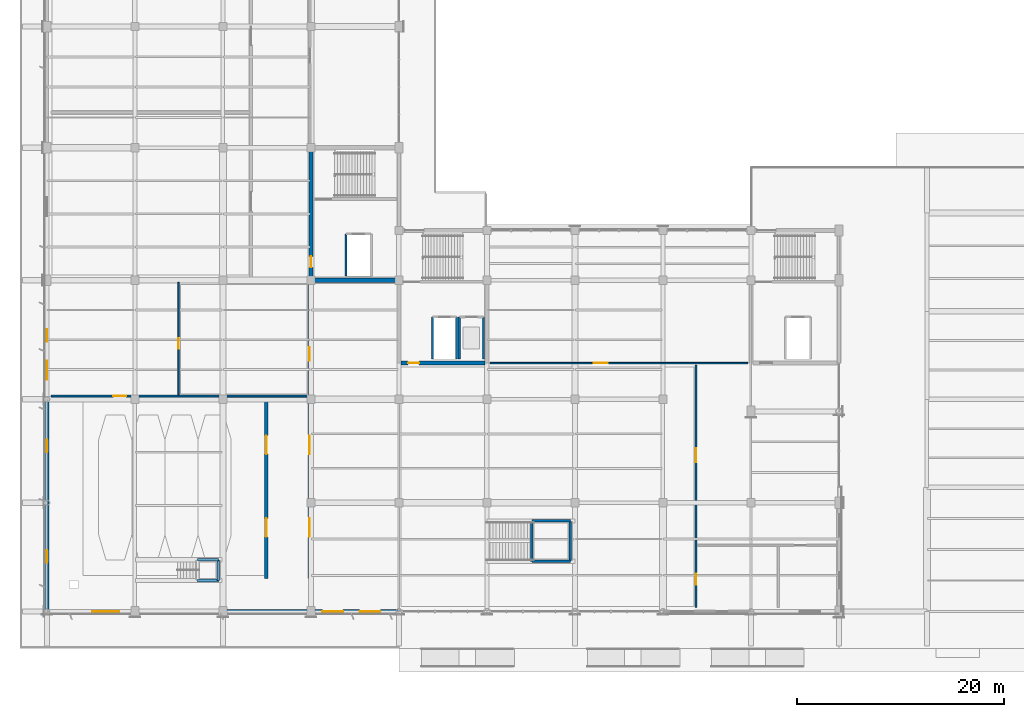
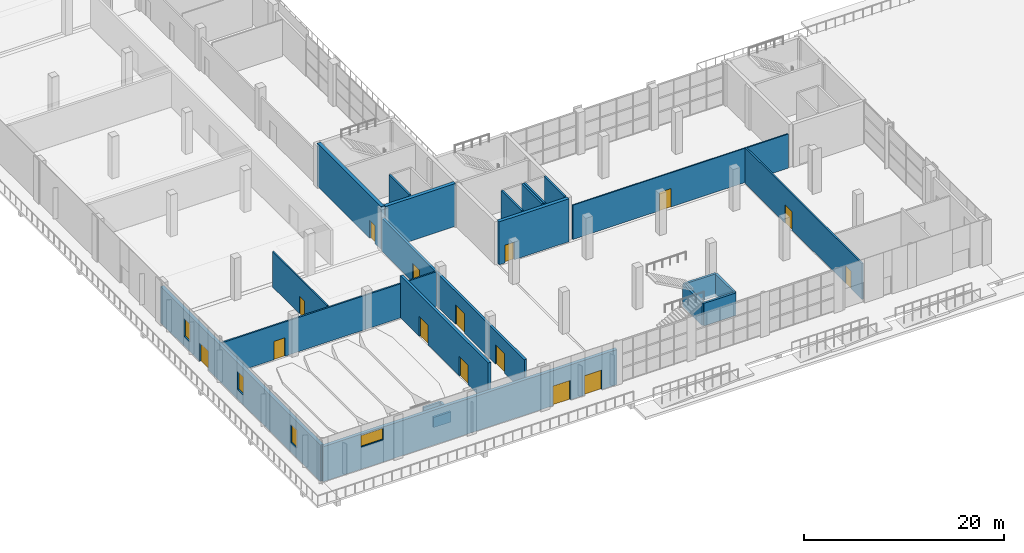
# One storey, part 66 of 90: 23 walls, 15 doors, 4 windows, 19 openings.
"""IFC4 building model written with IfcOpenShell, lengths in metres."""

from ifc_helpers import new_model, si_unit, direction, frame, frame_2d, origin, origin_with_axes, place, context, subcontext, project, spatial, rectangle, extrude, material, layer, layer_set, type_object, element, fill, save


model = new_model("IFC4")

# Units and contexts
model_context = context("Model", 3, precision=1e-05, world=origin(), true_north=direction((0.0, 1.0)))
body_context = subcontext(model_context, "Body", "Model", "MODEL_VIEW")
ifc_project = project(units=[si_unit("LENGTHUNIT", "METRE"), si_unit("AREAUNIT", "SQUARE_METRE"), si_unit("VOLUMEUNIT", "CUBIC_METRE"), si_unit("PLANEANGLEUNIT", "RADIAN"), si_unit("MASSUNIT", "GRAM", prefix="KILO")], contexts=[model_context])

# Site, building, storey
site_placement = place(None, origin())
site = spatial("IfcSite", under=ifc_project, at=site_placement, CompositionType="ELEMENT")
building_placement = place(site_placement, origin())
building = spatial("IfcBuilding", under=site, at=building_placement, Name="Solvikara Media Centre", CompositionType="ELEMENT")
storey_placement = place(building_placement, origin())
storey = spatial("IfcBuildingStorey", under=building, at=storey_placement, Name="L00", CompositionType="ELEMENT", Elevation=0.0)

# Wall, opening, door
ifc_material_1 = material(Name="Concrete fc' 45 MPa (C45/55)", Category="concrete")
ifc_layer_1 = layer(ifc_material_1, 0.39990234375)
ifc_layer_set_1 = layer_set([ifc_layer_1], Name="Concrete fc' 45 MPa (C45/55)")
wall_type_1 = type_object("IfcWallType", Name="WT-02", PredefinedType="SHEAR", material=ifc_layer_set_1)
wall_1_placement = place(storey_placement, frame((25.5, 32.0, 0.0), z_axis=(0.0, 0.0, 1.0), x_axis=(0.0, 1.0, 0.0)))
wall_1 = element("IfcWall", 1, at=wall_1_placement, inside=storey, type_object=wall_type_1, Name="CW-C1-L00-W", PredefinedType="SHEAR", context=body_context, shape_type="SweptSolid", body=[
    extrude(rectangle(XDim=12.800048828125, YDim=0.39990234375, at=frame_2d((6.39990234375, 0.0))), origin(), (0.0, 0.0, 1.0), 5.239990234375),
])
opening_1_placement = place(wall_1_placement, frame((1.25, 0.0, 0.0)))
opening_1 = element("IfcOpeningElement", 2, at=opening_1_placement, cuts=wall_1, Name="Opening D-C1-L00-LOB", PredefinedType="OPENING", context=body_context, shape_type="SweptSolid", body=[
    extrude(rectangle(XDim=1.050048828125, YDim=2.14990234375, at=frame_2d((0.52490234375, 1.074951171875))), frame((0.0, 0.2119140625, 0.0), z_axis=(0.0, -1.0, 0.0), x_axis=(1.0, 0.0, 0.0)), (0.0, 0.0, 1.0), 0.423828125),
])
ifc_material_2 = material(Name="Insulated fire-rated steel door leaf", Category="steel")
door_type_1 = type_object("IfcDoorType", Name="DT-10", OperationType="NOTDEFINED", PredefinedType="DOOR", material=ifc_material_2)
door_1_placement = place(opening_1_placement, origin())
door_1 = element("IfcDoor", 3, at=door_1_placement, inside=storey, type_object=door_type_1, Name="D-C1-L00-LOB", OperationType="SINGLE_SWING_RIGHT", OverallHeight=2.14990234375, OverallWidth=1.050048828125, PredefinedType="DOOR", context=body_context, shape_type="SweptSolid", body=[
    extrude(rectangle(XDim=1.050048828125, YDim=2.14990234375, at=frame_2d((0.52490234375, 1.074951171875))), frame((0.0, 0.02490234375, 0.0), z_axis=(0.0, -1.0, 0.0), x_axis=(1.0, 0.0, 0.0)), (0.0, 0.0, 1.0), 0.050048828125),
])
fill(opening_1, door_1)

# Wall
wall_2_placement = place(storey_placement, frame((25.699951171875, 32.0, 0.0), z_axis=(0.0, 0.0, 1.0), x_axis=(1.0, 0.0, 0.0)))
element("IfcWall", 4, at=wall_2_placement, inside=storey, type_object=wall_type_1, Name="CW-C1-L00-S", PredefinedType="SHEAR", context=body_context, shape_type="SweptSolid", body=[
    extrude(rectangle(XDim=8.10009765625, YDim=0.39990234375, at=frame_2d((4.050048828125, 0.0))), origin(), (0.0, 0.0, 1.0), 5.239990234375),
])

# Wall, opening, door
wall_3_placement = place(storey_placement, frame((34.199951171875, 24.0, 0.0), z_axis=(0.0, 0.0, 1.0), x_axis=(1.0, 0.0, 0.0)))
wall_3 = element("IfcWall", 5, at=wall_3_placement, inside=storey, type_object=wall_type_1, Name="CW-C2-L00-S", PredefinedType="SHEAR", context=body_context, shape_type="SweptSolid", body=[
    extrude(rectangle(XDim=8.10009765625, YDim=0.39990234375, at=frame_2d((4.050048828125, 0.0))), origin(), (0.0, 0.0, 1.0), 5.239990234375),
])
opening_2_placement = place(wall_3_placement, frame((0.699951171875, 0.0, 0.0)))
opening_2 = element("IfcOpeningElement", 6, at=opening_2_placement, cuts=wall_3, Name="Opening D-C2-L00-LOB", PredefinedType="OPENING", context=body_context, shape_type="SweptSolid", body=[
    extrude(rectangle(XDim=1.050048828125, YDim=2.14990234375, at=frame_2d((0.52490234375, 1.074951171875))), frame((0.0, 0.2119140625, 0.0), z_axis=(0.0, -1.0, 0.0), x_axis=(1.0, 0.0, 0.0)), (0.0, 0.0, 1.0), 0.423828125),
])
door_2_placement = place(opening_2_placement, frame((1.050048828125, 0.0, 0.0), z_axis=(0.0, 0.0, 1.0), x_axis=(-1.0, 0.0, 0.0)))
door_2 = element("IfcDoor", 7, at=door_2_placement, inside=storey, type_object=door_type_1, Name="D-C2-L00-LOB", OperationType="SINGLE_SWING_RIGHT", OverallHeight=2.14990234375, OverallWidth=1.050048828125, PredefinedType="DOOR", context=body_context, shape_type="SweptSolid", body=[
    extrude(rectangle(XDim=1.050048828125, YDim=2.14990234375, at=frame_2d((0.52490234375, 1.074951171875))), frame((0.0, 0.02490234375, 0.0), z_axis=(0.0, -1.0, 0.0), x_axis=(1.0, 0.0, 0.0)), (0.0, 0.0, 1.0), 0.050048828125),
])
fill(opening_2, door_2)

# Wall, openings, doors
ifc_layer_2 = layer(ifc_material_1, 0.320068359375)
ifc_layer_set_2 = layer_set([ifc_layer_2], Name="Concrete fc' 45 MPa (C45/55)")
wall_type_2 = type_object("IfcWallType", Name="WT-04", PredefinedType="SHEAR", material=ifc_layer_set_2)
wall_4_placement = place(storey_placement, frame((21.199951171875, 3.199951171875, 0.0), z_axis=(0.0, 0.0, 1.0), x_axis=(0.0, 1.0, 0.0)))
wall_4 = element("IfcWall", 8, at=wall_4_placement, inside=storey, type_object=wall_type_2, Name="PW-L00-013", PredefinedType="SHEAR", context=body_context, shape_type="SweptSolid", body=[
    extrude(rectangle(XDim=17.60009765625, YDim=0.320068359375, at=frame_2d((8.800048828125, 0.0))), origin(), (0.0, 0.0, 1.0), 5.10009765625),
])
opening_3_placement = place(wall_4_placement, frame((4.0, 0.0, 0.0)))
opening_3 = element("IfcOpeningElement", 9, at=opening_3_placement, cuts=wall_4, Name="Opening D-L00-013-1", PredefinedType="OPENING", context=body_context, shape_type="SweptSolid", body=[
    extrude(rectangle(XDim=1.800048828125, YDim=2.39990234375, at=frame_2d((0.89990234375, 1.199951171875))), frame((0.0, 0.171875, 0.0), z_axis=(0.0, -1.0, 0.0), x_axis=(1.0, 0.0, 0.0)), (0.0, 0.0, 1.0), 0.343994140625),
])
opening_4_placement = place(wall_4_placement, frame((12.0, 0.0, 0.0)))
opening_4 = element("IfcOpeningElement", 10, at=opening_4_placement, cuts=wall_4, Name="Opening D-L00-013-2", PredefinedType="OPENING", context=body_context, shape_type="SweptSolid", body=[
    extrude(rectangle(XDim=1.800048828125, YDim=2.39990234375, at=frame_2d((0.89990234375, 1.199951171875))), frame((0.0, 0.171875, 0.0), z_axis=(0.0, -1.0, 0.0), x_axis=(1.0, 0.0, 0.0)), (0.0, 0.0, 1.0), 0.343994140625),
])
ifc_material_3 = material(Name="Solid core acoustic hardwood timber", Category="wood")
door_type_2 = type_object("IfcDoorType", Name="DT-12", OperationType="DOUBLE_DOOR_SINGLE_SWING", PredefinedType="DOOR", material=ifc_material_3)
door_3_placement = place(opening_3_placement, frame((1.800048828125, 0.0, 0.0), z_axis=(0.0, 0.0, 1.0), x_axis=(-1.0, 0.0, 0.0)))
door_3 = element("IfcDoor", 11, at=door_3_placement, inside=storey, type_object=door_type_2, Name="D-L00-013-1", OperationType="DOUBLE_DOOR_SINGLE_SWING", OverallHeight=2.39990234375, OverallWidth=1.800048828125, PredefinedType="DOOR", context=body_context, shape_type="SweptSolid", body=[
    extrude(rectangle(XDim=1.800048828125, YDim=2.39990234375, at=frame_2d((0.89990234375, 1.199951171875))), frame((0.0, 0.02490234375, 0.0), z_axis=(0.0, -1.0, 0.0), x_axis=(1.0, 0.0, 0.0)), (0.0, 0.0, 1.0), 0.050048828125),
])
fill(opening_3, door_3)
door_4_placement = place(opening_4_placement, frame((1.800048828125, 0.0, 0.0), z_axis=(0.0, 0.0, 1.0), x_axis=(-1.0, 0.0, 0.0)))
door_4 = element("IfcDoor", 12, at=door_4_placement, inside=storey, type_object=door_type_2, Name="D-L00-013-2", OperationType="DOUBLE_DOOR_SINGLE_SWING", OverallHeight=2.39990234375, OverallWidth=1.800048828125, PredefinedType="DOOR", context=body_context, shape_type="SweptSolid", body=[
    extrude(rectangle(XDim=1.800048828125, YDim=2.39990234375, at=frame_2d((0.89990234375, 1.199951171875))), frame((0.0, 0.02490234375, 0.0), z_axis=(0.0, -1.0, 0.0), x_axis=(1.0, 0.0, 0.0)), (0.0, 0.0, 1.0), 0.050048828125),
])
fill(opening_4, door_4)

# Walls
ifc_layer_3 = layer(ifc_material_1, 0.25)
ifc_layer_set_3 = layer_set([ifc_layer_3], Name="Concrete fc' 45 MPa (C45/55)")
wall_type_3 = type_object("IfcWallType", Name="WT-07", PredefinedType="STANDARD", material=ifc_layer_set_3)
for number, where, z_axis, x_axis, name in (
    (13, (46.85009765625, 4.85009765625, -0.340087890625), (0.0, 0.0, 1.0), (1.0, 0.0, 0.0), "FW-FOY1-S"),
    (14, (46.85009765625, 8.75, -0.340087890625), (0.0, 0.0, 1.0), (1.0, 0.0, 0.0), "FW-FOY1-N"),
):
    element("IfcWall", number, at=place(storey_placement, frame(where, z_axis=z_axis, x_axis=x_axis)), inside=storey, type_object=wall_type_3, Name=name, PredefinedType="STANDARD", context=body_context, shape_type="SweptSolid", body=[
        extrude(rectangle(XDim=3.699951171875, YDim=0.25, at=frame_2d((1.85009765625, 0.0))), origin(), (0.0, 0.0, 1.0), 2.75),
    ])
wall_5_placement = place(storey_placement, frame((50.550048828125, 4.919921875, -0.340087890625), z_axis=(0.0, 0.0, 1.0), x_axis=(0.0, 1.0, 0.0)))
element("IfcWall", 15, at=wall_5_placement, inside=storey, type_object=wall_type_3, Name="FW-FOY1-E", PredefinedType="STANDARD", context=body_context, shape_type="SweptSolid", body=[
    extrude(rectangle(XDim=3.760009765625, YDim=0.25, at=frame_2d((1.8798828125, 0.0))), origin(), (0.0, 0.0, 1.0), 2.75),
])
wall_6_placement = place(storey_placement, frame((46.85009765625, 4.85009765625, -0.340087890625), z_axis=(0.0, 0.0, 1.0), x_axis=(0.0, 1.0, 0.0)))
element("IfcWall", 16, at=wall_6_placement, inside=storey, type_object=wall_type_3, Name="FW-FOY1-W", PredefinedType="STANDARD", context=body_context, shape_type="SweptSolid", body=[
    extrude(rectangle(XDim=3.89990234375, YDim=0.25, at=frame_2d((1.949951171875, 0.0))), origin(), (0.0, 0.0, 1.0), 2.75),
])
for number, where, z_axis, x_axis, name in (
    (17, (14.550048828125, 3.0, -0.340087890625), (0.0, 0.0, 1.0), (1.0, 0.0, 0.0), "VW-ST-GC-AISLE-1"),
    (18, (14.550048828125, 5.0, -0.340087890625), (0.0, 0.0, 1.0), (1.0, 0.0, 0.0), "VW-ST-GC-AISLE-2"),
    (19, (16.550048828125, 3.0, -0.340087890625), (0.0, 0.0, 1.0), (0.0, 1.0, 0.0), "VW-ST-GC-AISLE-3"),
):
    element("IfcWall", number, at=place(storey_placement, frame(where, z_axis=z_axis, x_axis=x_axis)), inside=storey, type_object=wall_type_3, Name=name, PredefinedType="STANDARD", context=body_context, shape_type="SweptSolid", body=[
        extrude(rectangle(XDim=2.0, YDim=0.25, at=frame_2d((1.0, 0.0))), origin(), (0.0, 0.0, 1.0), 1.25),
    ])

# Wall, openings, doors, window
ifc_material_4 = material(Name="Precast concrete fc' 40 MPa (C40/50)", Category="concrete")
ifc_layer_4 = layer(ifc_material_4, 0.3798828125)
ifc_layer_set_4 = layer_set([ifc_layer_4], Name="Precast concrete fc' 40 MPa (C40/50)")
wall_type_4 = type_object("IfcWallType", Name="WT-08", PredefinedType="STANDARD", material=ifc_layer_set_4)
wall_7_placement = place(storey_placement, origin_with_axes())
wall_7 = element("IfcWall", 20, at=wall_7_placement, inside=storey, type_object=wall_type_4, Name="EW-L00-V1-S", PredefinedType="STANDARD", context=body_context, shape_type="SweptSolid", body=[
    extrude(rectangle(XDim=34.0, YDim=0.3798828125, at=frame_2d((17.0, 0.0))), origin(), (0.0, 0.0, 1.0), 4.280029296875),
])
opening_5_placement = place(wall_7_placement, frame((26.60009765625, 0.0, 0.0)))
opening_5 = element("IfcOpeningElement", 21, at=opening_5_placement, cuts=wall_7, Name="Opening EX-01", PredefinedType="OPENING", context=body_context, shape_type="SweptSolid", body=[
    extrude(rectangle(XDim=2.0, YDim=2.39990234375, at=frame_2d((1.0, 1.199951171875))), frame((0.0, 0.201904296875, 0.0), z_axis=(0.0, -1.0, 0.0), x_axis=(1.0, 0.0, 0.0)), (0.0, 0.0, 1.0), 0.40380859375),
])
opening_6_placement = place(wall_7_placement, frame((30.199951171875, 0.0, 0.0)))
opening_6 = element("IfcOpeningElement", 22, at=opening_6_placement, cuts=wall_7, Name="Opening EX-02", PredefinedType="OPENING", context=body_context, shape_type="SweptSolid", body=[
    extrude(rectangle(XDim=2.0, YDim=2.39990234375, at=frame_2d((1.0, 1.199951171875))), frame((0.0, 0.201904296875, 0.0), z_axis=(0.0, -1.0, 0.0), x_axis=(1.0, 0.0, 0.0)), (0.0, 0.0, 1.0), 0.40380859375),
])
opening_7_placement = place(wall_7_placement, frame((4.366943359375, 0.0, 2.719970703125)))
opening_7 = element("IfcOpeningElement", 23, at=opening_7_placement, cuts=wall_7, Name="Opening W-L00-V1S-W01", PredefinedType="OPENING", context=body_context, shape_type="SweptSolid", body=[
    extrude(rectangle(XDim=2.60009765625, YDim=1.39990234375, at=frame_2d((1.300048828125, 0.699951171875))), frame((0.0, 0.201904296875, 0.0), z_axis=(0.0, -1.0, 0.0), x_axis=(1.0, 0.0, 0.0)), (0.0, 0.0, 1.0), 0.40380859375),
])
ifc_material_5 = material(Name="Anodised aluminium EN AW-6063", Category="aluminium")
door_type_3 = type_object("IfcDoorType", Name="DT-01", OperationType="DOUBLE_DOOR_SINGLE_SWING", PredefinedType="DOOR", material=ifc_material_5)
door_5_placement = place(opening_5_placement, frame((2.0, 0.0, 0.0), z_axis=(0.0, 0.0, 1.0), x_axis=(-1.0, 0.0, 0.0)))
door_5 = element("IfcDoor", 24, at=door_5_placement, inside=storey, type_object=door_type_3, Name="EX-01", OperationType="DOUBLE_DOOR_SINGLE_SWING", OverallHeight=2.39990234375, OverallWidth=2.0, PredefinedType="DOOR", context=body_context, shape_type="SweptSolid", body=[
    extrude(rectangle(XDim=2.0, YDim=2.39990234375, at=frame_2d((1.0, 1.199951171875))), frame((0.0, 0.02490234375, 0.0), z_axis=(0.0, -1.0, 0.0), x_axis=(1.0, 0.0, 0.0)), (0.0, 0.0, 1.0), 0.050048828125),
])
fill(opening_5, door_5)
door_6_placement = place(opening_6_placement, frame((2.0, 0.0, 0.0), z_axis=(0.0, 0.0, 1.0), x_axis=(-1.0, 0.0, 0.0)))
door_6 = element("IfcDoor", 25, at=door_6_placement, inside=storey, type_object=door_type_3, Name="EX-02", OperationType="DOUBLE_DOOR_SINGLE_SWING", OverallHeight=2.39990234375, OverallWidth=2.0, PredefinedType="DOOR", context=body_context, shape_type="SweptSolid", body=[
    extrude(rectangle(XDim=2.0, YDim=2.39990234375, at=frame_2d((1.0, 1.199951171875))), frame((0.0, 0.02490234375, 0.0), z_axis=(0.0, -1.0, 0.0), x_axis=(1.0, 0.0, 0.0)), (0.0, 0.0, 1.0), 0.050048828125),
])
fill(opening_6, door_6)
ifc_material_6 = material(Name="Double-glazed low-E architectural glass", Category="glass")
window_type_1 = type_object("IfcWindowType", Name="WN-09", PartitioningType="SINGLE_PANEL", PredefinedType="WINDOW", material=ifc_material_6)
window_1_placement = place(opening_7_placement, origin())
window_1 = element("IfcWindow", 26, at=window_1_placement, inside=storey, type_object=window_type_1, Name="W-L00-V1S-W01", OverallHeight=1.39990234375, OverallWidth=2.60009765625, PartitioningType="SINGLE_PANEL", PredefinedType="WINDOW", context=body_context, shape_type="SweptSolid", body=[
    extrude(rectangle(XDim=2.60009765625, YDim=1.39990234375, at=frame_2d((1.300048828125, 0.699951171875))), frame((0.0, 0.030029296875, 0.0), z_axis=(0.0, -1.0, 0.0), x_axis=(1.0, 0.0, 0.0)), (0.0, 0.0, 1.0), 0.06005859375),
])
fill(opening_7, window_1)

# Wall, openings, door, windows
wall_8_placement = place(storey_placement, frame((0.0, 0.0, 0.0), z_axis=(0.0, 0.0, 1.0), x_axis=(0.0, 1.0, 0.0)))
wall_8 = element("IfcWall", 27, at=wall_8_placement, inside=storey, type_object=wall_type_4, Name="EW-L00-V1-W", PredefinedType="STANDARD", context=body_context, shape_type="SweptSolid", body=[
    extrude(rectangle(XDim=32.0, YDim=0.3798828125, at=frame_2d((16.0, 0.0))), origin(), (0.0, 0.0, 1.0), 4.429931640625),
])
opening_8_placement = place(wall_8_placement, frame((22.39990234375, 0.0, 0.0)))
opening_8 = element("IfcOpeningElement", 28, at=opening_8_placement, cuts=wall_8, Name="Opening EX-03", PredefinedType="OPENING", context=body_context, shape_type="SweptSolid", body=[
    extrude(rectangle(XDim=1.800048828125, YDim=2.300048828125, at=frame_2d((0.89990234375, 1.14990234375))), frame((0.0, 0.201904296875, 0.0), z_axis=(0.0, -1.0, 0.0), x_axis=(1.0, 0.0, 0.0)), (0.0, 0.0, 1.0), 0.40380859375),
])
opening_9_placement = place(wall_8_placement, frame((4.73291015625, 0.0, 1.199951171875)))
opening_9 = element("IfcOpeningElement", 29, at=opening_9_placement, cuts=wall_8, Name="Opening W-L00-V1W-W01", PredefinedType="OPENING", context=body_context, shape_type="SweptSolid", body=[
    extrude(rectangle(XDim=1.199951171875, YDim=2.199951171875, at=frame_2d((0.60009765625, 1.10009765625))), frame((0.0, 0.201904296875, 0.0), z_axis=(0.0, -1.0, 0.0), x_axis=(1.0, 0.0, 0.0)), (0.0, 0.0, 1.0), 0.40380859375),
])
opening_10_placement = place(wall_8_placement, frame((15.39990234375, 0.0, 1.199951171875)))
opening_10 = element("IfcOpeningElement", 30, at=opening_10_placement, cuts=wall_8, Name="Opening W-L00-V1W-W02", PredefinedType="OPENING", context=body_context, shape_type="SweptSolid", body=[
    extrude(rectangle(XDim=1.199951171875, YDim=2.199951171875, at=frame_2d((0.60009765625, 1.10009765625))), frame((0.0, 0.201904296875, 0.0), z_axis=(0.0, -1.0, 0.0), x_axis=(1.0, 0.0, 0.0)), (0.0, 0.0, 1.0), 0.40380859375),
])
opening_11_placement = place(wall_8_placement, frame((26.06689453125, 0.0, 1.199951171875)))
opening_11 = element("IfcOpeningElement", 31, at=opening_11_placement, cuts=wall_8, Name="Opening W-L00-V1W-W03", PredefinedType="OPENING", context=body_context, shape_type="SweptSolid", body=[
    extrude(rectangle(XDim=1.199951171875, YDim=2.199951171875, at=frame_2d((0.60009765625, 1.10009765625))), frame((0.0, 0.201904296875, 0.0), z_axis=(0.0, -1.0, 0.0), x_axis=(1.0, 0.0, 0.0)), (0.0, 0.0, 1.0), 0.40380859375),
])
door_type_4 = type_object("IfcDoorType", Name="DT-03", OperationType="DOUBLE_DOOR_SINGLE_SWING", PredefinedType="DOOR", material=ifc_material_2)
door_7_placement = place(opening_8_placement, origin())
door_7 = element("IfcDoor", 32, at=door_7_placement, inside=storey, type_object=door_type_4, Name="EX-03", OperationType="DOUBLE_DOOR_SINGLE_SWING", OverallHeight=2.300048828125, OverallWidth=1.800048828125, PredefinedType="DOOR", context=body_context, shape_type="SweptSolid", body=[
    extrude(rectangle(XDim=1.800048828125, YDim=2.300048828125, at=frame_2d((0.89990234375, 1.14990234375))), frame((0.0, 0.02490234375, 0.0), z_axis=(0.0, -1.0, 0.0), x_axis=(1.0, 0.0, 0.0)), (0.0, 0.0, 1.0), 0.050048828125),
])
fill(opening_8, door_7)
window_type_2 = type_object("IfcWindowType", Name="WN-06", PartitioningType="SINGLE_PANEL", PredefinedType="WINDOW", material=ifc_material_6)
window_2_placement = place(opening_9_placement, origin())
window_2 = element("IfcWindow", 33, at=window_2_placement, inside=storey, type_object=window_type_2, Name="W-L00-V1W-W01", OverallHeight=2.199951171875, OverallWidth=1.199951171875, PartitioningType="SINGLE_PANEL", PredefinedType="WINDOW", context=body_context, shape_type="SweptSolid", body=[
    extrude(rectangle(XDim=1.199951171875, YDim=2.199951171875, at=frame_2d((0.60009765625, 1.10009765625))), frame((0.0, 0.030029296875, 0.0), z_axis=(0.0, -1.0, 0.0), x_axis=(1.0, 0.0, 0.0)), (0.0, 0.0, 1.0), 0.06005859375),
])
fill(opening_9, window_2)
window_3_placement = place(opening_10_placement, origin())
window_3 = element("IfcWindow", 34, at=window_3_placement, inside=storey, type_object=window_type_2, Name="W-L00-V1W-W02", OverallHeight=2.199951171875, OverallWidth=1.199951171875, PartitioningType="SINGLE_PANEL", PredefinedType="WINDOW", context=body_context, shape_type="SweptSolid", body=[
    extrude(rectangle(XDim=1.199951171875, YDim=2.199951171875, at=frame_2d((0.60009765625, 1.10009765625))), frame((0.0, 0.030029296875, 0.0), z_axis=(0.0, -1.0, 0.0), x_axis=(1.0, 0.0, 0.0)), (0.0, 0.0, 1.0), 0.06005859375),
])
fill(opening_10, window_3)
window_4_placement = place(opening_11_placement, origin())
window_4 = element("IfcWindow", 35, at=window_4_placement, inside=storey, type_object=window_type_2, Name="W-L00-V1W-W03", OverallHeight=2.199951171875, OverallWidth=1.199951171875, PartitioningType="SINGLE_PANEL", PredefinedType="WINDOW", context=body_context, shape_type="SweptSolid", body=[
    extrude(rectangle(XDim=1.199951171875, YDim=2.199951171875, at=frame_2d((0.60009765625, 1.10009765625))), frame((0.0, 0.030029296875, 0.0), z_axis=(0.0, -1.0, 0.0), x_axis=(1.0, 0.0, 0.0)), (0.0, 0.0, 1.0), 0.06005859375),
])
fill(opening_11, window_4)

# Wall, openings, doors
ifc_material_7 = material(Name="Double-stud acoustic gypsum partition assembly")
ifc_layer_5 = layer(ifc_material_7, 0.27001953125)
ifc_layer_set_5 = layer_set([ifc_layer_5], Name="Double-stud acoustic gypsum partition assembly")
wall_type_5 = type_object("IfcWallType", Name="WT-16", PredefinedType="PARTITIONING", material=ifc_layer_set_5)
wall_9_placement = place(storey_placement, frame((25.35009765625, 3.199951171875, 0.0), z_axis=(0.0, 0.0, 1.0), x_axis=(0.0, 1.0, 0.0)))
wall_9 = element("IfcWall", 36, at=wall_9_placement, inside=storey, type_object=wall_type_5, Name="PW-L00-014", PredefinedType="PARTITIONING", context=body_context, shape_type="SweptSolid", body=[
    extrude(rectangle(XDim=28.60009765625, YDim=0.27001953125, at=frame_2d((14.300048828125, 0.0))), origin(), (0.0, 0.0, 1.0), 4.030029296875),
])
opening_12_placement = place(wall_9_placement, frame((4.0, 0.0, 0.0)))
opening_12 = element("IfcOpeningElement", 37, at=opening_12_placement, cuts=wall_9, Name="Opening D-L00-014-1", PredefinedType="OPENING", context=body_context, shape_type="SweptSolid", body=[
    extrude(rectangle(XDim=1.800048828125, YDim=2.39990234375, at=frame_2d((0.89990234375, 1.199951171875))), frame((0.0, 0.14697265625, 0.0), z_axis=(0.0, -1.0, 0.0), x_axis=(1.0, 0.0, 0.0)), (0.0, 0.0, 1.0), 0.2939453125),
])
opening_13_placement = place(wall_9_placement, frame((12.0, 0.0, 0.0)))
opening_13 = element("IfcOpeningElement", 38, at=opening_13_placement, cuts=wall_9, Name="Opening D-L00-014-2", PredefinedType="OPENING", context=body_context, shape_type="SweptSolid", body=[
    extrude(rectangle(XDim=1.800048828125, YDim=2.39990234375, at=frame_2d((0.89990234375, 1.199951171875))), frame((0.0, 0.14697265625, 0.0), z_axis=(0.0, -1.0, 0.0), x_axis=(1.0, 0.0, 0.0)), (0.0, 0.0, 1.0), 0.2939453125),
])
opening_14_placement = place(wall_9_placement, frame((21.0, 0.0, 0.0)))
opening_14 = element("IfcOpeningElement", 39, at=opening_14_placement, cuts=wall_9, Name="Opening D-L00-014-3", PredefinedType="OPENING", context=body_context, shape_type="SweptSolid", body=[
    extrude(rectangle(XDim=1.35009765625, YDim=2.25, at=frame_2d((0.675048828125, 1.125))), frame((0.0, 0.14697265625, 0.0), z_axis=(0.0, -1.0, 0.0), x_axis=(1.0, 0.0, 0.0)), (0.0, 0.0, 1.0), 0.2939453125),
])
door_8_placement = place(opening_12_placement, frame((1.800048828125, 0.0, 0.0), z_axis=(0.0, 0.0, 1.0), x_axis=(-1.0, 0.0, 0.0)))
door_8 = element("IfcDoor", 40, at=door_8_placement, inside=storey, type_object=door_type_2, Name="D-L00-014-1", OperationType="DOUBLE_DOOR_SINGLE_SWING", OverallHeight=2.39990234375, OverallWidth=1.800048828125, PredefinedType="DOOR", context=body_context, shape_type="SweptSolid", body=[
    extrude(rectangle(XDim=1.800048828125, YDim=2.39990234375, at=frame_2d((0.89990234375, 1.199951171875))), frame((0.0, 0.02490234375, 0.0), z_axis=(0.0, -1.0, 0.0), x_axis=(1.0, 0.0, 0.0)), (0.0, 0.0, 1.0), 0.050048828125),
])
fill(opening_12, door_8)
door_9_placement = place(opening_13_placement, frame((1.800048828125, 0.0, 0.0), z_axis=(0.0, 0.0, 1.0), x_axis=(-1.0, 0.0, 0.0)))
door_9 = element("IfcDoor", 41, at=door_9_placement, inside=storey, type_object=door_type_2, Name="D-L00-014-2", OperationType="DOUBLE_DOOR_SINGLE_SWING", OverallHeight=2.39990234375, OverallWidth=1.800048828125, PredefinedType="DOOR", context=body_context, shape_type="SweptSolid", body=[
    extrude(rectangle(XDim=1.800048828125, YDim=2.39990234375, at=frame_2d((0.89990234375, 1.199951171875))), frame((0.0, 0.02490234375, 0.0), z_axis=(0.0, -1.0, 0.0), x_axis=(1.0, 0.0, 0.0)), (0.0, 0.0, 1.0), 0.050048828125),
])
fill(opening_13, door_9)
door_type_5 = type_object("IfcDoorType", Name="DT-20", OperationType="DOUBLE_DOOR_SINGLE_SWING", PredefinedType="DOOR", material=ifc_material_5)
door_10_placement = place(opening_14_placement, frame((1.35009765625, 0.0, 0.0), z_axis=(0.0, 0.0, 1.0), x_axis=(-1.0, 0.0, 0.0)))
door_10 = element("IfcDoor", 42, at=door_10_placement, inside=storey, type_object=door_type_5, Name="D-L00-014-3", OperationType="DOUBLE_DOOR_SINGLE_SWING", OverallHeight=2.25, OverallWidth=1.35009765625, PredefinedType="DOOR", context=body_context, shape_type="SweptSolid", body=[
    extrude(rectangle(XDim=1.35009765625, YDim=2.25, at=frame_2d((0.675048828125, 1.125))), frame((0.0, 0.02490234375, 0.0), z_axis=(0.0, -1.0, 0.0), x_axis=(1.0, 0.0, 0.0)), (0.0, 0.0, 1.0), 0.050048828125),
])
fill(opening_14, door_10)

# Walls
ifc_material_8 = material(Name="Fire-rated gypsum and mineral-wool shaft wall assembly")
ifc_layer_6 = layer(ifc_material_8, 0.2099609375)
ifc_layer_set_6 = layer_set([ifc_layer_6], Name="Fire-rated gypsum and mineral-wool shaft wall assembly")
wall_type_6 = type_object("IfcWallType", Name="WT-17", PredefinedType="PARTITIONING", material=ifc_layer_set_6)
for number, where, z_axis, x_axis, name in (
    (43, (28.8798828125, 32.39990234375, 0.0), (0.0, 0.0, 1.0), (0.0, 1.0, 0.0), "LW-LF-S1-L00-W"),
    (44, (37.22998046875, 24.39990234375, 0.0), (0.0, 0.0, 1.0), (0.0, 1.0, 0.0), "LW-LF-P1-L00-W"),
    (45, (39.570068359375, 24.39990234375, 0.0), (0.0, 0.0, 1.0), (0.0, 1.0, 0.0), "LW-LF-P1-L00-E"),
    (46, (39.830078125, 24.39990234375, 0.0), (0.0, 0.0, 1.0), (0.0, 1.0, 0.0), "LW-LF-P2-L00-W"),
    (47, (42.169921875, 24.39990234375, 0.0), (0.0, 0.0, 1.0), (0.0, 1.0, 0.0), "LW-LF-P2-L00-E"),
):
    element("IfcWall", number, at=place(storey_placement, frame(where, z_axis=z_axis, x_axis=x_axis)), inside=storey, type_object=wall_type_6, Name=name, PredefinedType="PARTITIONING", context=body_context, shape_type="SweptSolid", body=[
        extrude(rectangle(XDim=4.050048828125, YDim=0.2099609375, at=frame_2d((2.02490234375, 0.0))), origin(), (0.0, 0.0, 1.0), 5.239990234375),
    ])

# Wall, opening, door
ifc_layer_7 = layer(ifc_material_8, 0.179931640625)
ifc_layer_set_7 = layer_set([ifc_layer_7], Name="Fire-rated gypsum and mineral-wool shaft wall assembly")
wall_type_7 = type_object("IfcWallType", Name="WT-18", PredefinedType="PARTITIONING", material=ifc_layer_set_7)
wall_10_placement = place(storey_placement, frame((0.39990234375, 20.800048828125, 0.0), z_axis=(0.0, 0.0, 1.0), x_axis=(1.0, 0.0, 0.0)))
wall_10 = element("IfcWall", 48, at=wall_10_placement, inside=storey, type_object=wall_type_7, Name="PW-L00-015", PredefinedType="PARTITIONING", context=body_context, shape_type="SweptSolid", body=[
    extrude(rectangle(XDim=24.800048828125, YDim=0.179931640625, at=frame_2d((12.39990234375, 0.0))), origin(), (0.0, 0.0, 1.0), 4.179931640625),
])
opening_15_placement = place(wall_10_placement, frame((6.0, 0.0, 0.0)))
opening_15 = element("IfcOpeningElement", 49, at=opening_15_placement, cuts=wall_10, Name="Opening D-L00-015-1", PredefinedType="OPENING", context=body_context, shape_type="SweptSolid", body=[
    extrude(rectangle(XDim=1.25, YDim=2.25, at=frame_2d((0.625, 1.125))), frame((0.0, 0.10205078125, 0.0), z_axis=(0.0, -1.0, 0.0), x_axis=(1.0, 0.0, 0.0)), (0.0, 0.0, 1.0), 0.203857421875),
])
door_type_6 = type_object("IfcDoorType", Name="DT-15", OperationType="NOTDEFINED", PredefinedType="DOOR", material=ifc_material_3)
door_11_placement = place(opening_15_placement, origin())
door_11 = element("IfcDoor", 50, at=door_11_placement, inside=storey, type_object=door_type_6, Name="D-L00-015-1", OperationType="SINGLE_SWING_LEFT", OverallHeight=2.25, OverallWidth=1.25, PredefinedType="DOOR", context=body_context, shape_type="SweptSolid", body=[
    extrude(rectangle(XDim=1.25, YDim=2.25, at=frame_2d((0.625, 1.125))), frame((0.0, 0.02490234375, 0.0), z_axis=(0.0, -1.0, 0.0), x_axis=(1.0, 0.0, 0.0)), (0.0, 0.0, 1.0), 0.050048828125),
])
fill(opening_15, door_11)

# Wall, openings, doors
wall_11_placement = place(storey_placement, frame((62.699951171875, 0.39990234375, 0.0), z_axis=(0.0, 0.0, 1.0), x_axis=(0.0, 1.0, 0.0)))
wall_11 = element("IfcWall", 51, at=wall_11_placement, inside=storey, type_object=wall_type_7, Name="PW-L00-026", PredefinedType="PARTITIONING", context=body_context, shape_type="SweptSolid", body=[
    extrude(rectangle(XDim=23.400146484375, YDim=0.179931640625, at=frame_2d((11.7001953125, 0.0))), origin(), (0.0, 0.0, 1.0), 4.3798828125),
])
opening_16_placement = place(wall_11_placement, frame((2.199951171875, 0.0, 0.0)))
opening_16 = element("IfcOpeningElement", 52, at=opening_16_placement, cuts=wall_11, Name="Opening D-L00-026-1", PredefinedType="OPENING", context=body_context, shape_type="SweptSolid", body=[
    extrude(rectangle(XDim=1.050048828125, YDim=2.14990234375, at=frame_2d((0.52490234375, 1.074951171875))), frame((0.0, 0.10205078125, 0.0), z_axis=(0.0, -1.0, 0.0), x_axis=(1.0, 0.0, 0.0)), (0.0, 0.0, 1.0), 0.203857421875),
])
opening_17_placement = place(wall_11_placement, frame((14.0, 0.0, 0.0)))
opening_17 = element("IfcOpeningElement", 53, at=opening_17_placement, cuts=wall_11, Name="Opening D-L00-026-2", PredefinedType="OPENING", context=body_context, shape_type="SweptSolid", body=[
    extrude(rectangle(XDim=1.35009765625, YDim=2.25, at=frame_2d((0.675048828125, 1.125))), frame((0.0, 0.10205078125, 0.0), z_axis=(0.0, -1.0, 0.0), x_axis=(1.0, 0.0, 0.0)), (0.0, 0.0, 1.0), 0.203857421875),
])
door_12_placement = place(opening_16_placement, frame((1.050048828125, 0.0, 0.0), z_axis=(0.0, 0.0, 1.0), x_axis=(-1.0, 0.0, 0.0)))
door_12 = element("IfcDoor", 54, at=door_12_placement, inside=storey, type_object=door_type_1, Name="D-L00-026-1", OperationType="SINGLE_SWING_LEFT", OverallHeight=2.14990234375, OverallWidth=1.050048828125, PredefinedType="DOOR", context=body_context, shape_type="SweptSolid", body=[
    extrude(rectangle(XDim=1.050048828125, YDim=2.14990234375, at=frame_2d((0.52490234375, 1.074951171875))), frame((0.0, 0.02490234375, 0.0), z_axis=(0.0, -1.0, 0.0), x_axis=(1.0, 0.0, 0.0)), (0.0, 0.0, 1.0), 0.050048828125),
])
fill(opening_16, door_12)
door_13_placement = place(opening_17_placement, origin())
door_13 = element("IfcDoor", 55, at=door_13_placement, inside=storey, type_object=door_type_5, Name="D-L00-026-2", OperationType="DOUBLE_DOOR_SINGLE_SWING", OverallHeight=2.25, OverallWidth=1.35009765625, PredefinedType="DOOR", context=body_context, shape_type="SweptSolid", body=[
    extrude(rectangle(XDim=1.35009765625, YDim=2.25, at=frame_2d((0.675048828125, 1.125))), frame((0.0, 0.02490234375, 0.0), z_axis=(0.0, -1.0, 0.0), x_axis=(1.0, 0.0, 0.0)), (0.0, 0.0, 1.0), 0.050048828125),
])
fill(opening_17, door_13)

# Wall, opening, door
ifc_layer_8 = layer(ifc_material_7, 0.159912109375)
ifc_layer_set_8 = layer_set([ifc_layer_8], Name="Double-stud acoustic gypsum partition assembly")
wall_type_8 = type_object("IfcWallType", Name="WT-19", PredefinedType="PARTITIONING", material=ifc_layer_set_8)
wall_12_placement = place(storey_placement, frame((12.699951171875, 20.89990234375, 0.0), z_axis=(0.0, 0.0, 1.0), x_axis=(0.0, 1.0, 0.0)))
wall_12 = element("IfcWall", 56, at=wall_12_placement, inside=storey, type_object=wall_type_8, Name="PW-L00-016", PredefinedType="PARTITIONING", context=body_context, shape_type="SweptSolid", body=[
    extrude(rectangle(XDim=10.900146484375, YDim=0.159912109375, at=frame_2d((5.4501953125, 0.0))), origin(), (0.0, 0.0, 1.0), 4.330078125),
])
opening_18_placement = place(wall_12_placement, frame((4.5, 0.0, 0.0)))
opening_18 = element("IfcOpeningElement", 57, at=opening_18_placement, cuts=wall_12, Name="Opening D-L00-016-1", PredefinedType="OPENING", context=body_context, shape_type="SweptSolid", body=[
    extrude(rectangle(XDim=1.0, YDim=2.14990234375, at=frame_2d((0.5, 1.074951171875))), frame((0.0, 0.091796875, 0.0), z_axis=(0.0, -1.0, 0.0), x_axis=(1.0, 0.0, 0.0)), (0.0, 0.0, 1.0), 0.183837890625),
])
door_type_7 = type_object("IfcDoorType", Name="DT-16", OperationType="NOTDEFINED", PredefinedType="DOOR", material=ifc_material_3)
door_14_placement = place(opening_18_placement, origin())
door_14 = element("IfcDoor", 58, at=door_14_placement, inside=storey, type_object=door_type_7, Name="D-L00-016-1", OperationType="SINGLE_SWING_RIGHT", OverallHeight=2.14990234375, OverallWidth=1.0, PredefinedType="DOOR", context=body_context, shape_type="SweptSolid", body=[
    extrude(rectangle(XDim=1.0, YDim=2.14990234375, at=frame_2d((0.5, 1.074951171875))), frame((0.0, 0.02490234375, 0.0), z_axis=(0.0, -1.0, 0.0), x_axis=(1.0, 0.0, 0.0)), (0.0, 0.0, 1.0), 0.050048828125),
])
fill(opening_18, door_14)

ifc_layer_9 = layer(ifc_material_7, 0.139892578125)
ifc_layer_set_9 = layer_set([ifc_layer_9], Name="Double-stud acoustic gypsum partition assembly")
wall_type_9 = type_object("IfcWallType", Name="WT-20", PredefinedType="PARTITIONING", material=ifc_layer_set_9)
wall_13_placement = place(storey_placement, frame((42.800048828125, 24.0, 0.0), z_axis=(0.0, 0.0, 1.0), x_axis=(1.0, 0.0, 0.0)))
wall_13 = element("IfcWall", 59, at=wall_13_placement, inside=storey, type_object=wall_type_9, Name="PW-L00-029", PredefinedType="PARTITIONING", context=body_context, shape_type="SweptSolid", body=[
    extrude(rectangle(XDim=24.89990234375, YDim=0.139892578125, at=frame_2d((12.449951171875, 0.0))), origin(), (0.0, 0.0, 1.0), 4.179931640625),
])
opening_19_placement = place(wall_13_placement, frame((10.0, 0.0, 0.0)))
opening_19 = element("IfcOpeningElement", 60, at=opening_19_placement, cuts=wall_13, Name="Opening D-L00-029-1", PredefinedType="OPENING", context=body_context, shape_type="SweptSolid", body=[
    extrude(rectangle(XDim=1.35009765625, YDim=2.25, at=frame_2d((0.675048828125, 1.125))), frame((0.0, 0.08203125, 0.0), z_axis=(0.0, -1.0, 0.0), x_axis=(1.0, 0.0, 0.0)), (0.0, 0.0, 1.0), 0.163818359375),
])
door_15_placement = place(opening_19_placement, origin())
door_15 = element("IfcDoor", 61, at=door_15_placement, inside=storey, type_object=door_type_5, Name="D-L00-029-1", OperationType="DOUBLE_DOOR_SINGLE_SWING", OverallHeight=2.25, OverallWidth=1.35009765625, PredefinedType="DOOR", context=body_context, shape_type="SweptSolid", body=[
    extrude(rectangle(XDim=1.35009765625, YDim=2.25, at=frame_2d((0.675048828125, 1.125))), frame((0.0, 0.02490234375, 0.0), z_axis=(0.0, -1.0, 0.0), x_axis=(1.0, 0.0, 0.0)), (0.0, 0.0, 1.0), 0.050048828125),
])
fill(opening_19, door_15)

save(model, "model.ifc")
